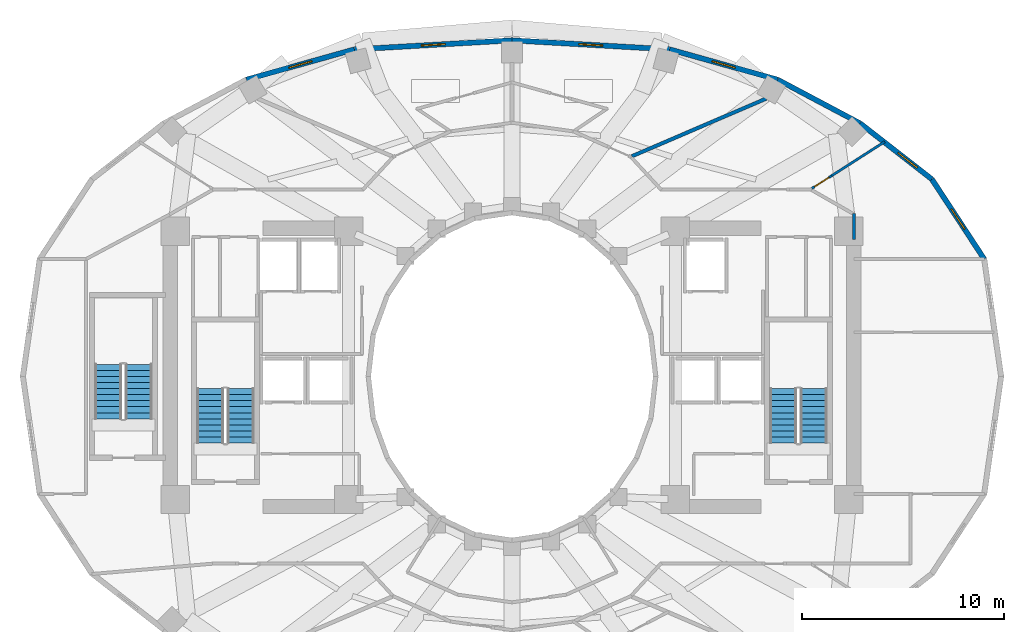
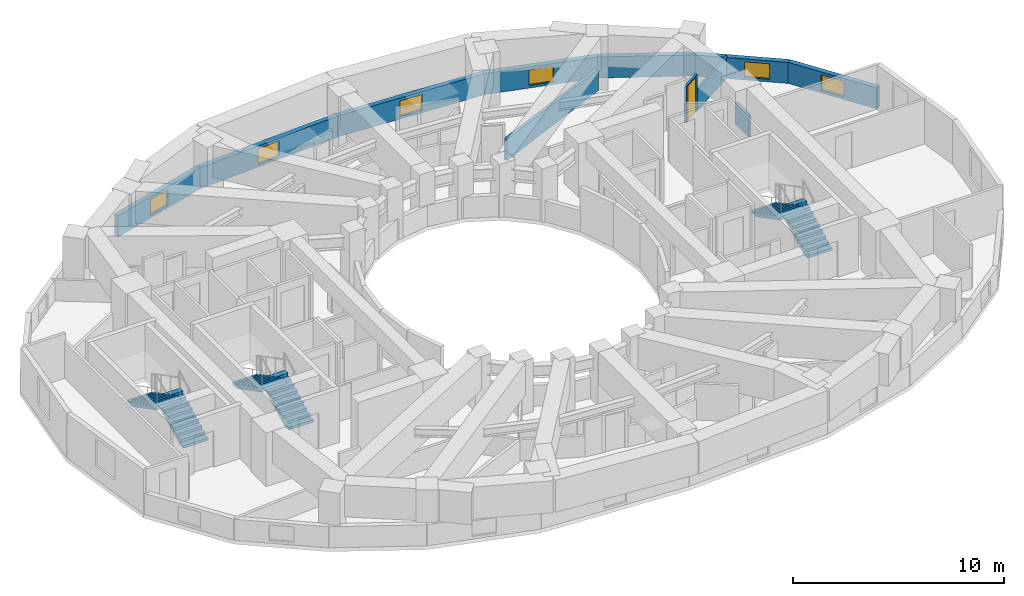
# One storey, part 7 of 9: 11 walls, 6 stair flights, 6 windows, 1 door, 7 openings, 3 elements without a shape of their own.
"""IFC4 building model written with IfcOpenShell, lengths in metres."""

from ifc_helpers import new_model, si_unit, direction, frame, frame_2d, origin, place, context, subcontext, project, spatial, polyline, rectangle, outline, extrude, material, layer, layer_set, type_object, element, fill, aggregate, save


model = new_model("IFC4")

# Units and contexts
model_context = context("Model", 3, precision=1e-05, world=origin(), true_north=direction((0.0, 1.0)))
body_context = subcontext(model_context, "Body", "Model", "MODEL_VIEW")
ifc_project = project(units=[si_unit("LENGTHUNIT", "METRE"), si_unit("AREAUNIT", "SQUARE_METRE"), si_unit("VOLUMEUNIT", "CUBIC_METRE"), si_unit("PLANEANGLEUNIT", "RADIAN"), si_unit("MASSUNIT", "GRAM", prefix="KILO")], contexts=[model_context])

# Site, building, storey
site_placement = place(None, origin())
site = spatial("IfcSite", under=ifc_project, at=site_placement, CompositionType="ELEMENT")
building_placement = place(site_placement, origin())
building = spatial("IfcBuilding", under=site, at=building_placement, Name="Solvane Sanctuary Tower", CompositionType="ELEMENT")
storey_placement = place(building_placement, frame((0.0, 0.0, 125.89990234375)))
storey = spatial("IfcBuildingStorey", under=building, at=storey_placement, Name="L38", CompositionType="ELEMENT", Elevation=125.89990234375)

# Wall
ifc_material_1 = material(Name="Acoustic Gypsum Partition Board")
ifc_layer_1 = layer(ifc_material_1, 0.14990234375, Name="Acoustic Gypsum Partition Board")
ifc_layer_set_1 = layer_set([ifc_layer_1], Name="Acoustic Gypsum Partition Board")
wall_type_1 = type_object("IfcWallType", Name="Wall W-CORR-150", PredefinedType="PARTITIONING", material=ifc_layer_set_1)
wall_1_placement = place(storey_placement, frame((48.949951171875, 29.800048828125, 0.0), z_axis=(0.0, 0.0, 1.0), x_axis=(0.0, 1.0, 0.0)))
element("IfcWall", 1, at=wall_1_placement, inside=storey, type_object=wall_type_1, Name="L38 NE Corner Closer 1", PredefinedType="PARTITIONING", context=body_context, shape_type="SweptSolid", body=[
    extrude(rectangle(XDim=1.2900390625, YDim=0.14990234375, at=frame_2d((0.64501953125, 0.0))), origin(), (0.0, 0.0, 1.0), 1.22021484375),
])

# Wall, opening, window
ifc_material_2 = material(Name="Precast concrete C40/50", Category="concrete")
ifc_layer_2 = layer(ifc_material_2, 0.260009765625, Name="Precast concrete C40/50")
ifc_layer_set_2 = layer_set([ifc_layer_2], Name="Precast concrete C40/50")
wall_type_2 = type_object("IfcWallType", Name="Wall W-EXT-250", PredefinedType="STANDARD", material=ifc_layer_set_2)
wall_2_placement = place(storey_placement, frame((55.421875, 28.818603515625, 0.0), z_axis=(0.0, 0.0, 1.0), x_axis=(-0.548283220945, 0.836292717672, 0.0)))
wall_2 = element("IfcWall", 2, at=wall_2_placement, inside=storey, type_object=wall_type_2, Name="L38 Ceramic-Printed Facade Wall 01", PredefinedType="STANDARD", context=body_context, shape_type="SweptSolid", body=[
    extrude(rectangle(XDim=4.744384765625, YDim=0.260009765625, at=frame_2d((2.3720703125, 0.0))), origin(), (0.0, 0.0, 1.0), 1.22021484375),
])
opening_1_placement = place(wall_2_placement, frame((1.772216796875, 0.0, 0.14990234375)))
opening_1 = element("IfcOpeningElement", 3, at=opening_1_placement, cuts=wall_2, Name="Opening WN-OPER-1200", PredefinedType="OPENING", context=body_context, shape_type="SweptSolid", body=[
    extrude(rectangle(XDim=1.199951171875, YDim=0.89990234375, at=frame_2d((0.60009765625, 0.449951171875))), frame((0.0, 0.139892578125, 0.0), z_axis=(0.0, -1.0, 0.0), x_axis=(1.0, 0.0, 0.0)), (0.0, 0.0, 1.0), 0.280029296875),
])
ifc_material_3 = material(Name="Dark Ceramic-Fritted Low-E Glass", Category="glass")
window_type = type_object("IfcWindowType", Name="Window WN-OPER-1200", PartitioningType="SINGLE_PANEL", PredefinedType="WINDOW", material=ifc_material_3)
window_1_placement = place(opening_1_placement, origin())
window_1 = element("IfcWindow", 4, at=window_1_placement, inside=storey, type_object=window_type, Name="L38 Operable Facade Window 01", OverallHeight=0.89990234375, OverallWidth=1.199951171875, PartitioningType="SINGLE_PANEL", PredefinedType="WINDOW", context=body_context, shape_type="SweptSolid", body=[
    extrude(rectangle(XDim=1.199951171875, YDim=0.89990234375, at=frame_2d((0.60009765625, 0.449951171875))), frame((0.0, 0.030029296875, 0.0), z_axis=(0.0, -1.0, 0.0), x_axis=(1.0, 0.0, 0.0)), (0.0, 0.0, 1.0), 0.06005859375),
])
fill(opening_1, window_1)

wall_3_placement = place(storey_placement, frame((52.820556640625, 32.786376953125, 0.0), z_axis=(0.0, 0.0, 1.0), x_axis=(-0.789127449954, 0.614229491094, 0.0)))
wall_3 = element("IfcWall", 5, at=wall_3_placement, inside=storey, type_object=wall_type_2, Name="L38 Ceramic-Printed Facade Wall 02", PredefinedType="STANDARD", context=body_context, shape_type="SweptSolid", body=[
    extrude(rectangle(XDim=4.504638671875, YDim=0.260009765625, at=frame_2d((2.25244140625, 0.0))), origin(), (0.0, 0.0, 1.0), 1.22021484375),
])
opening_2_placement = place(wall_3_placement, frame((0.921630859375, 0.0, 0.14990234375)))
opening_2 = element("IfcOpeningElement", 6, at=opening_2_placement, cuts=wall_3, Name="Opening WN-OPER-1200", PredefinedType="OPENING", context=body_context, shape_type="SweptSolid", body=[
    extrude(rectangle(XDim=1.199951171875, YDim=0.89990234375, at=frame_2d((0.60009765625, 0.449951171875))), frame((0.0, 0.139892578125, 0.0), z_axis=(0.0, -1.0, 0.0), x_axis=(1.0, 0.0, 0.0)), (0.0, 0.0, 1.0), 0.280029296875),
])
window_2_placement = place(opening_2_placement, origin())
window_2 = element("IfcWindow", 7, at=window_2_placement, inside=storey, type_object=window_type, Name="L38 Operable Facade Window 02", OverallHeight=0.89990234375, OverallWidth=1.199951171875, PartitioningType="SINGLE_PANEL", PredefinedType="WINDOW", context=body_context, shape_type="SweptSolid", body=[
    extrude(rectangle(XDim=1.199951171875, YDim=0.89990234375, at=frame_2d((0.60009765625, 0.449951171875))), frame((0.0, 0.030029296875, 0.0), z_axis=(0.0, -1.0, 0.0), x_axis=(1.0, 0.0, 0.0)), (0.0, 0.0, 1.0), 0.06005859375),
])
fill(opening_2, window_2)

# Wall
wall_4_placement = place(storey_placement, frame((49.265869140625, 35.55322265625, 0.0), z_axis=(0.0, 0.0, 1.0), x_axis=(-0.883668636807, 0.4681129568, 0.0)))
element("IfcWall", 8, at=wall_4_placement, inside=storey, type_object=wall_type_2, Name="L38 Ceramic-Printed Facade Wall 03", PredefinedType="STANDARD", context=body_context, shape_type="SweptSolid", body=[
    extrude(rectangle(XDim=4.63134765625, YDim=0.260009765625, at=frame_2d((2.315673828125, 0.0))), origin(), (0.0, 0.0, 1.0), 1.22021484375),
])

# Wall, opening, window
wall_5_placement = place(storey_placement, frame((45.17333984375, 37.72119140625, 0.0), z_axis=(0.0, 0.0, 1.0), x_axis=(-0.962938491413, 0.269721081407, 0.0)))
wall_5 = element("IfcWall", 9, at=wall_5_placement, inside=storey, type_object=wall_type_2, Name="L38 Ceramic-Printed Facade Wall 04", PredefinedType="STANDARD", context=body_context, shape_type="SweptSolid", body=[
    extrude(rectangle(XDim=5.563232421875, YDim=0.260009765625, at=frame_2d((2.78173828125, 0.0))), origin(), (0.0, 0.0, 1.0), 1.22021484375),
])
opening_3_placement = place(wall_5_placement, frame((2.181640625, 0.0, 0.14990234375)))
opening_3 = element("IfcOpeningElement", 10, at=opening_3_placement, cuts=wall_5, Name="Opening WN-OPER-1200", PredefinedType="OPENING", context=body_context, shape_type="SweptSolid", body=[
    extrude(rectangle(XDim=1.199951171875, YDim=0.89990234375, at=frame_2d((0.60009765625, 0.449951171875))), frame((0.0, 0.139892578125, 0.0), z_axis=(0.0, -1.0, 0.0), x_axis=(1.0, 0.0, 0.0)), (0.0, 0.0, 1.0), 0.280029296875),
])
window_3_placement = place(opening_3_placement, origin())
window_3 = element("IfcWindow", 11, at=window_3_placement, inside=storey, type_object=window_type, Name="L38 Operable Facade Window 04", OverallHeight=0.89990234375, OverallWidth=1.199951171875, PartitioningType="SINGLE_PANEL", PredefinedType="WINDOW", context=body_context, shape_type="SweptSolid", body=[
    extrude(rectangle(XDim=1.199951171875, YDim=0.89990234375, at=frame_2d((0.60009765625, 0.449951171875))), frame((0.0, 0.030029296875, 0.0), z_axis=(0.0, -1.0, 0.0), x_axis=(1.0, 0.0, 0.0)), (0.0, 0.0, 1.0), 0.06005859375),
])
fill(opening_3, window_3)

wall_6_placement = place(storey_placement, frame((39.81640625, 39.2216796875, 0.0), z_axis=(0.0, 0.0, 1.0), x_axis=(-0.998352606703, 0.057376586592, 0.0)))
wall_6 = element("IfcWall", 12, at=wall_6_placement, inside=storey, type_object=wall_type_2, Name="L38 Ceramic-Printed Facade Wall 05", PredefinedType="STANDARD", context=body_context, shape_type="SweptSolid", body=[
    extrude(rectangle(XDim=7.829345703125, YDim=0.260009765625, at=frame_2d((3.91455078125, 0.0))), origin(), (0.0, 0.0, 1.0), 1.22021484375),
])
opening_4_placement = place(wall_6_placement, frame((3.314697265625, 0.0, 0.14990234375)))
opening_4 = element("IfcOpeningElement", 13, at=opening_4_placement, cuts=wall_6, Name="Opening WN-OPER-1200", PredefinedType="OPENING", context=body_context, shape_type="SweptSolid", body=[
    extrude(rectangle(XDim=1.199951171875, YDim=0.89990234375, at=frame_2d((0.60009765625, 0.449951171875))), frame((0.0, 0.139892578125, 0.0), z_axis=(0.0, -1.0, 0.0), x_axis=(1.0, 0.0, 0.0)), (0.0, 0.0, 1.0), 0.280029296875),
])
window_4_placement = place(opening_4_placement, origin())
window_4 = element("IfcWindow", 14, at=window_4_placement, inside=storey, type_object=window_type, Name="L38 Operable Facade Window 05", OverallHeight=0.89990234375, OverallWidth=1.199951171875, PartitioningType="SINGLE_PANEL", PredefinedType="WINDOW", context=body_context, shape_type="SweptSolid", body=[
    extrude(rectangle(XDim=1.199951171875, YDim=0.89990234375, at=frame_2d((0.60009765625, 0.449951171875))), frame((0.0, 0.030029296875, 0.0), z_axis=(0.0, -1.0, 0.0), x_axis=(1.0, 0.0, 0.0)), (0.0, 0.0, 1.0), 0.06005859375),
])
fill(opening_4, window_4)

wall_7_placement = place(storey_placement, frame((32.0, 39.6708984375, 0.0), z_axis=(0.0, 0.0, 1.0), x_axis=(-0.998352606703, -0.057376586592, 0.0)))
wall_7 = element("IfcWall", 15, at=wall_7_placement, inside=storey, type_object=wall_type_2, Name="L38 Ceramic-Printed Facade Wall 06", PredefinedType="STANDARD", context=body_context, shape_type="SweptSolid", body=[
    extrude(rectangle(XDim=7.829345703125, YDim=0.260009765625, at=frame_2d((3.91455078125, 0.0))), origin(), (0.0, 0.0, 1.0), 1.22021484375),
])
opening_5_placement = place(wall_7_placement, frame((3.314697265625, 0.0, 0.14990234375)))
opening_5 = element("IfcOpeningElement", 16, at=opening_5_placement, cuts=wall_7, Name="Opening WN-OPER-1200", PredefinedType="OPENING", context=body_context, shape_type="SweptSolid", body=[
    extrude(rectangle(XDim=1.199951171875, YDim=0.89990234375, at=frame_2d((0.60009765625, 0.449951171875))), frame((0.0, 0.139892578125, 0.0), z_axis=(0.0, -1.0, 0.0), x_axis=(1.0, 0.0, 0.0)), (0.0, 0.0, 1.0), 0.280029296875),
])
window_5_placement = place(opening_5_placement, origin())
window_5 = element("IfcWindow", 17, at=window_5_placement, inside=storey, type_object=window_type, Name="L38 Operable Facade Window 06", OverallHeight=0.89990234375, OverallWidth=1.199951171875, PartitioningType="SINGLE_PANEL", PredefinedType="WINDOW", context=body_context, shape_type="SweptSolid", body=[
    extrude(rectangle(XDim=1.199951171875, YDim=0.89990234375, at=frame_2d((0.60009765625, 0.449951171875))), frame((0.0, 0.030029296875, 0.0), z_axis=(0.0, -1.0, 0.0), x_axis=(1.0, 0.0, 0.0)), (0.0, 0.0, 1.0), 0.06005859375),
])
fill(opening_5, window_5)

wall_8_placement = place(storey_placement, frame((24.18359375, 39.2216796875, 0.0), z_axis=(0.0, 0.0, 1.0), x_axis=(-0.962938491413, -0.269721081407, 0.0)))
wall_8 = element("IfcWall", 18, at=wall_8_placement, inside=storey, type_object=wall_type_2, Name="L38 Ceramic-Printed Facade Wall 07", PredefinedType="STANDARD", context=body_context, shape_type="SweptSolid", body=[
    extrude(rectangle(XDim=5.563232421875, YDim=0.260009765625, at=frame_2d((2.78173828125, 0.0))), origin(), (0.0, 0.0, 1.0), 1.22021484375),
])
opening_6_placement = place(wall_8_placement, frame((2.181640625, 0.0, 0.14990234375)))
opening_6 = element("IfcOpeningElement", 19, at=opening_6_placement, cuts=wall_8, Name="Opening WN-OPER-1200", PredefinedType="OPENING", context=body_context, shape_type="SweptSolid", body=[
    extrude(rectangle(XDim=1.199951171875, YDim=0.89990234375, at=frame_2d((0.60009765625, 0.449951171875))), frame((0.0, 0.139892578125, 0.0), z_axis=(0.0, -1.0, 0.0), x_axis=(1.0, 0.0, 0.0)), (0.0, 0.0, 1.0), 0.280029296875),
])
window_6_placement = place(opening_6_placement, origin())
window_6 = element("IfcWindow", 20, at=window_6_placement, inside=storey, type_object=window_type, Name="L38 Operable Facade Window 07", OverallHeight=0.89990234375, OverallWidth=1.199951171875, PartitioningType="SINGLE_PANEL", PredefinedType="WINDOW", context=body_context, shape_type="SweptSolid", body=[
    extrude(rectangle(XDim=1.199951171875, YDim=0.89990234375, at=frame_2d((0.60009765625, 0.449951171875))), frame((0.0, 0.030029296875, 0.0), z_axis=(0.0, -1.0, 0.0), x_axis=(1.0, 0.0, 0.0)), (0.0, 0.0, 1.0), 0.06005859375),
])
fill(opening_6, window_6)

# Wall, opening, door
ifc_layer_3 = layer(ifc_material_1, 0.1201171875, Name="Acoustic Gypsum Partition Board")
ifc_layer_set_3 = layer_set([ifc_layer_3], Name="Acoustic Gypsum Partition Board")
wall_type_3 = type_object("IfcWallType", Name="Wall W-MOV-100", PredefinedType="MOVABLE", material=ifc_layer_set_3)
wall_9_placement = place(storey_placement, frame((46.871826171875, 32.325927734375, 0.0), z_axis=(0.0, 0.0, 1.0), x_axis=(0.841774593721, 0.53982917054, 0.0)))
wall_9 = element("IfcWall", 21, at=wall_9_placement, inside=storey, type_object=wall_type_3, Name="L38 NE Corner Suite Partition", PredefinedType="MOVABLE", context=body_context, shape_type="SweptSolid", body=[
    extrude(rectangle(XDim=1.169921875, YDim=0.1201171875, at=frame_2d((0.5849609375, 0.0))), origin(), (0.0, 0.0, 1.0), 2.110107421875),
])
opening_7_placement = place(wall_9_placement, frame((0.159912109375, 0.0, 0.0)))
opening_7 = element("IfcOpeningElement", 22, at=opening_7_placement, cuts=wall_9, Name="Opening D-L38-15", PredefinedType="OPENING", context=body_context, shape_type="SweptSolid", body=[
    extrude(rectangle(XDim=0.85009765625, YDim=2.050048828125, at=frame_2d((0.425048828125, 1.02490234375))), frame((0.0, 0.070068359375, 0.0), z_axis=(0.0, -1.0, 0.0), x_axis=(1.0, 0.0, 0.0)), (0.0, 0.0, 1.0), 0.14013671875),
])
ifc_material_4 = material(Name="Architectural Stainless Steel 316", Category="steel")
door_type = type_object("IfcDoorType", Name="Door D-RISER", OperationType="NOTDEFINED", PredefinedType="DOOR", material=ifc_material_4)
door_placement = place(opening_7_placement, origin())
door = element("IfcDoor", 23, at=door_placement, inside=storey, type_object=door_type, Name="L38 NE Corner Suite Door", OperationType="SINGLE_SWING_LEFT", OverallHeight=2.050048828125, OverallWidth=0.85009765625, PredefinedType="DOOR", context=body_context, shape_type="SweptSolid", body=[
    extrude(rectangle(XDim=0.85009765625, YDim=2.050048828125, at=frame_2d((0.425048828125, 1.02490234375))), frame((0.0, 0.02490234375, 0.0), z_axis=(0.0, -1.0, 0.0), x_axis=(1.0, 0.0, 0.0)), (0.0, 0.0, 1.0), 0.050048828125),
])
fill(opening_7, door)

# Walls
wall_10_placement = place(storey_placement, frame((47.856689453125, 32.95751953125, 0.0), z_axis=(0.0, 0.0, 1.0), x_axis=(0.841931160388, 0.539584952689, 0.0)))
element("IfcWall", 24, at=wall_10_placement, inside=storey, type_object=wall_type_3, Name="L38 NE Corner Suite Partition", PredefinedType="MOVABLE", context=body_context, shape_type="SweptSolid", body=[
    extrude(rectangle(XDim=3.1162109375, YDim=0.1201171875, at=frame_2d((1.55810546875, 0.0))), origin(), (0.0, 0.0, 1.0), 1.22021484375),
])
ifc_layer_4 = layer(ifc_material_1, 0.179931640625, Name="Acoustic Gypsum Partition Board")
ifc_layer_set_4 = layer_set([ifc_layer_4], Name="Acoustic Gypsum Partition Board")
wall_type_4 = type_object("IfcWallType", Name="Wall W-UNIT-180", PredefinedType="PARTITIONING", material=ifc_layer_set_4)
wall_11_placement = place(storey_placement, frame((37.94140625, 33.91796875, 0.0), z_axis=(0.0, 0.0, 1.0), x_axis=(0.918836579087, 0.394638240584, 0.0)))
element("IfcWall", 25, at=wall_11_placement, inside=storey, type_object=wall_type_4, Name="L38 Radial Compartment Wall 060", PredefinedType="PARTITIONING", context=body_context, shape_type="SweptSolid", body=[
    extrude(rectangle(XDim=7.2529296875, YDim=0.179931640625, at=frame_2d((3.62646484375, 0.0))), origin(), (0.0, 0.0, 1.0), 1.22021484375),
])

# Stair, stair flights
ifc_material_5 = material(Name="Concrete C45/55", Category="concrete")
stair_type = type_object("IfcStairType", Name="Stair ST-TOW", PredefinedType="HALF_TURN_STAIR", material=ifc_material_5)
stair_1_placement = place(storey_placement, origin())
stair_1 = element("IfcStair", 26, at=stair_1_placement, inside=storey, type_object=stair_type, Name="L38 Exit Stair ST-1 West Core", PredefinedType="HALF_TURN_STAIR")
stair_flight_type = type_object("IfcStairFlightType", Name="StairFlight SF-TOW", PredefinedType="STRAIGHT", material=ifc_material_5)
stair_flight_1_placement = place(storey_placement, frame((18.544921875, 19.699951171875, 0.0), z_axis=(0.0, 0.0, 1.0), x_axis=(0.0, 1.0, 0.0)))
stair_flight_1 = element("IfcStairFlight", 27, at=stair_flight_1_placement, type_object=stair_flight_type, Name="ST-1 flight 1", NumberOfRisers=10, NumberOfTreads=9, PredefinedType="STRAIGHT", RiserHeight=0.155, TreadLength=0.3, context=body_context, shape_type="SweptSolid", body=[
    extrude(outline(polyline([(0.0, 0.0), (0.0, 0.155029296875), (0.300048828125, 0.155029296875), (0.300048828125, 0.31005859375), (0.60009765625, 0.31005859375), (0.60009765625, 0.465087890625), (0.89990234375, 0.465087890625), (0.89990234375, 0.6201171875), (1.199951171875, 0.6201171875), (1.199951171875, 0.77490234375), (1.5, 0.77490234375), (1.5, 0.929931640625), (1.800048828125, 0.929931640625), (1.800048828125, 1.0849609375), (2.10009765625, 1.0849609375), (2.10009765625, 1.239990234375), (2.39990234375, 1.239990234375), (2.39990234375, 1.39501953125), (2.699951171875, 1.39501953125), (2.699951171875, 1.550048828125), (2.699951171875, 1.1923828125), (0.39208984375, 0.0), (0.0, 0.0)])), frame((0.0, 0.675048828125, 0.0), z_axis=(0.0, -1.0, 0.0), x_axis=(1.0, 0.0, 0.0)), (0.0, 0.0, 1.0), 1.35009765625),
])
stair_flight_2_placement = place(storey_placement, frame((17.034912109375, 22.39990234375, 1.550048828125), z_axis=(0.0, 0.0, 1.0), x_axis=(0.0, -1.0, 0.0)))
stair_flight_2 = element("IfcStairFlight", 28, at=stair_flight_2_placement, type_object=stair_flight_type, Name="ST-1 flight 2", NumberOfRisers=10, NumberOfTreads=9, PredefinedType="STRAIGHT", RiserHeight=0.155, TreadLength=0.3, context=body_context, shape_type="SweptSolid", body=[
    extrude(outline(polyline([(0.0, 0.0), (0.0, 0.155029296875), (0.300048828125, 0.155029296875), (0.300048828125, 0.31005859375), (0.60009765625, 0.31005859375), (0.60009765625, 0.465087890625), (0.89990234375, 0.465087890625), (0.89990234375, 0.6201171875), (1.199951171875, 0.6201171875), (1.199951171875, 0.77490234375), (1.5, 0.77490234375), (1.5, 0.929931640625), (1.800048828125, 0.929931640625), (1.800048828125, 1.0849609375), (2.10009765625, 1.0849609375), (2.10009765625, 1.239990234375), (2.39990234375, 1.239990234375), (2.39990234375, 1.39501953125), (2.699951171875, 1.39501953125), (2.699951171875, 1.550048828125), (2.699951171875, 1.1923828125), (0.39208984375, 0.0), (0.0, 0.0)])), frame((0.0, 0.675048828125, 0.0), z_axis=(0.0, -1.0, 0.0), x_axis=(1.0, 0.0, 0.0)), (0.0, 0.0, 1.0), 1.35009765625),
])
aggregate(stair_1, [stair_flight_1, stair_flight_2])

stair_2_placement = place(storey_placement, origin())
stair_2 = element("IfcStair", 29, at=stair_2_placement, inside=storey, type_object=stair_type, Name="L38 Exit Stair ST-2 East Core", PredefinedType="HALF_TURN_STAIR")
stair_flight_3_placement = place(storey_placement, frame((46.965087890625, 19.699951171875, 0.0), z_axis=(0.0, 0.0, 1.0), x_axis=(0.0, 1.0, 0.0)))
stair_flight_3 = element("IfcStairFlight", 30, at=stair_flight_3_placement, type_object=stair_flight_type, Name="ST-2 flight 1", NumberOfRisers=10, NumberOfTreads=9, PredefinedType="STRAIGHT", RiserHeight=0.155, TreadLength=0.3, context=body_context, shape_type="SweptSolid", body=[
    extrude(outline(polyline([(0.0, 0.0), (0.0, 0.155029296875), (0.300048828125, 0.155029296875), (0.300048828125, 0.31005859375), (0.60009765625, 0.31005859375), (0.60009765625, 0.465087890625), (0.89990234375, 0.465087890625), (0.89990234375, 0.6201171875), (1.199951171875, 0.6201171875), (1.199951171875, 0.77490234375), (1.5, 0.77490234375), (1.5, 0.929931640625), (1.800048828125, 0.929931640625), (1.800048828125, 1.0849609375), (2.10009765625, 1.0849609375), (2.10009765625, 1.239990234375), (2.39990234375, 1.239990234375), (2.39990234375, 1.39501953125), (2.699951171875, 1.39501953125), (2.699951171875, 1.550048828125), (2.699951171875, 1.1923828125), (0.39208984375, 0.0), (0.0, 0.0)])), frame((0.0, 0.675048828125, 0.0), z_axis=(0.0, -1.0, 0.0), x_axis=(1.0, 0.0, 0.0)), (0.0, 0.0, 1.0), 1.35009765625),
])
stair_flight_4_placement = place(storey_placement, frame((45.455078125, 22.39990234375, 1.550048828125), z_axis=(0.0, 0.0, 1.0), x_axis=(0.0, -1.0, 0.0)))
stair_flight_4 = element("IfcStairFlight", 31, at=stair_flight_4_placement, type_object=stair_flight_type, Name="ST-2 flight 2", NumberOfRisers=10, NumberOfTreads=9, PredefinedType="STRAIGHT", RiserHeight=0.155, TreadLength=0.3, context=body_context, shape_type="SweptSolid", body=[
    extrude(outline(polyline([(0.0, 0.0), (0.0, 0.155029296875), (0.300048828125, 0.155029296875), (0.300048828125, 0.31005859375), (0.60009765625, 0.31005859375), (0.60009765625, 0.465087890625), (0.89990234375, 0.465087890625), (0.89990234375, 0.6201171875), (1.199951171875, 0.6201171875), (1.199951171875, 0.77490234375), (1.5, 0.77490234375), (1.5, 0.929931640625), (1.800048828125, 0.929931640625), (1.800048828125, 1.0849609375), (2.10009765625, 1.0849609375), (2.10009765625, 1.239990234375), (2.39990234375, 1.239990234375), (2.39990234375, 1.39501953125), (2.699951171875, 1.39501953125), (2.699951171875, 1.550048828125), (2.699951171875, 1.1923828125), (0.39208984375, 0.0), (0.0, 0.0)])), frame((0.0, 0.675048828125, 0.0), z_axis=(0.0, -1.0, 0.0), x_axis=(1.0, 0.0, 0.0)), (0.0, 0.0, 1.0), 1.35009765625),
])
aggregate(stair_2, [stair_flight_3, stair_flight_4])

stair_3_placement = place(storey_placement, origin())
stair_3 = element("IfcStair", 32, at=stair_3_placement, inside=storey, type_object=stair_type, Name="L38 Exit Stair ST-3 Pilgrim Tower Stair", PredefinedType="HALF_TURN_STAIR")
stair_flight_5_placement = place(storey_placement, frame((13.485107421875, 20.89990234375, 0.0), z_axis=(0.0, 0.0, 1.0), x_axis=(0.0, 1.0, 0.0)))
stair_flight_5 = element("IfcStairFlight", 33, at=stair_flight_5_placement, type_object=stair_flight_type, Name="ST-3 flight 1", NumberOfRisers=10, NumberOfTreads=9, PredefinedType="STRAIGHT", RiserHeight=0.155, TreadLength=0.3, context=body_context, shape_type="SweptSolid", body=[
    extrude(outline(polyline([(0.0, 0.0), (0.0, 0.155029296875), (0.300048828125, 0.155029296875), (0.300048828125, 0.31005859375), (0.60009765625, 0.31005859375), (0.60009765625, 0.465087890625), (0.89990234375, 0.465087890625), (0.89990234375, 0.6201171875), (1.199951171875, 0.6201171875), (1.199951171875, 0.77490234375), (1.5, 0.77490234375), (1.5, 0.929931640625), (1.800048828125, 0.929931640625), (1.800048828125, 1.0849609375), (2.10009765625, 1.0849609375), (2.10009765625, 1.239990234375), (2.39990234375, 1.239990234375), (2.39990234375, 1.39501953125), (2.699951171875, 1.39501953125), (2.699951171875, 1.550048828125), (2.699951171875, 1.1923828125), (0.39208984375, 0.0), (0.0, 0.0)])), frame((0.0, 0.675048828125, 0.0), z_axis=(0.0, -1.0, 0.0), x_axis=(1.0, 0.0, 0.0)), (0.0, 0.0, 1.0), 1.35009765625),
])
stair_flight_6_placement = place(storey_placement, frame((11.97509765625, 23.60009765625, 1.550048828125), z_axis=(0.0, 0.0, 1.0), x_axis=(0.0, -1.0, 0.0)))
stair_flight_6 = element("IfcStairFlight", 34, at=stair_flight_6_placement, type_object=stair_flight_type, Name="ST-3 flight 2", NumberOfRisers=10, NumberOfTreads=9, PredefinedType="STRAIGHT", RiserHeight=0.155, TreadLength=0.3, context=body_context, shape_type="SweptSolid", body=[
    extrude(outline(polyline([(0.0, 0.0), (0.0, 0.155029296875), (0.300048828125, 0.155029296875), (0.300048828125, 0.31005859375), (0.60009765625, 0.31005859375), (0.60009765625, 0.465087890625), (0.89990234375, 0.465087890625), (0.89990234375, 0.6201171875), (1.199951171875, 0.6201171875), (1.199951171875, 0.77490234375), (1.5, 0.77490234375), (1.5, 0.929931640625), (1.800048828125, 0.929931640625), (1.800048828125, 1.0849609375), (2.10009765625, 1.0849609375), (2.10009765625, 1.239990234375), (2.39990234375, 1.239990234375), (2.39990234375, 1.39501953125), (2.699951171875, 1.39501953125), (2.699951171875, 1.550048828125), (2.699951171875, 1.1923828125), (0.39208984375, 0.0), (0.0, 0.0)])), frame((0.0, 0.675048828125, 0.0), z_axis=(0.0, -1.0, 0.0), x_axis=(1.0, 0.0, 0.0)), (0.0, 0.0, 1.0), 1.35009765625),
])
aggregate(stair_3, [stair_flight_5, stair_flight_6])

save(model, "model.ifc")
